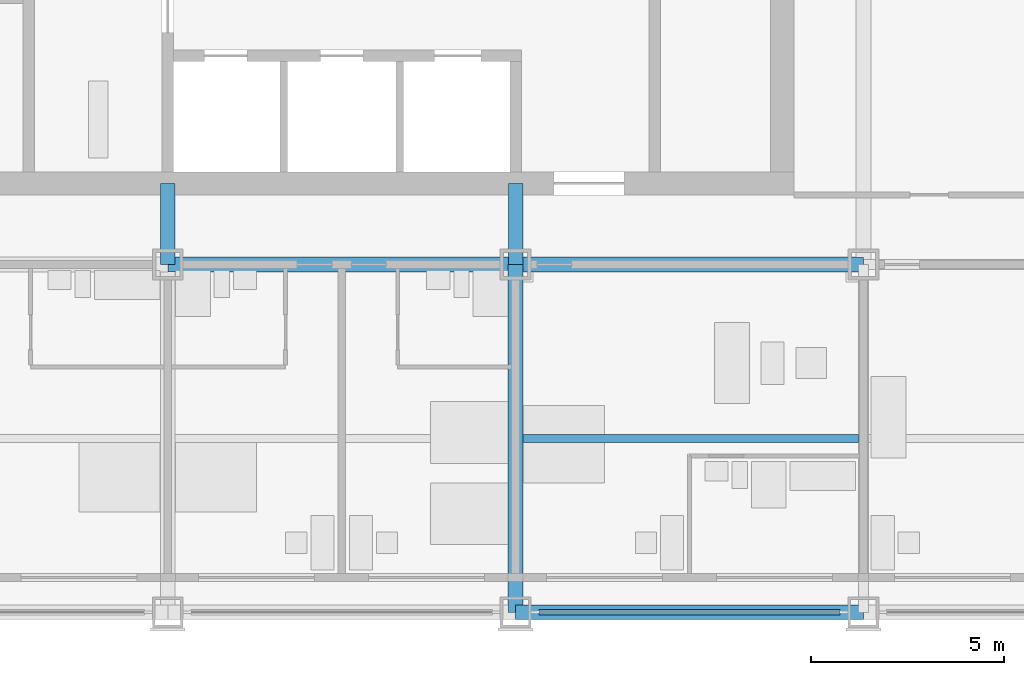
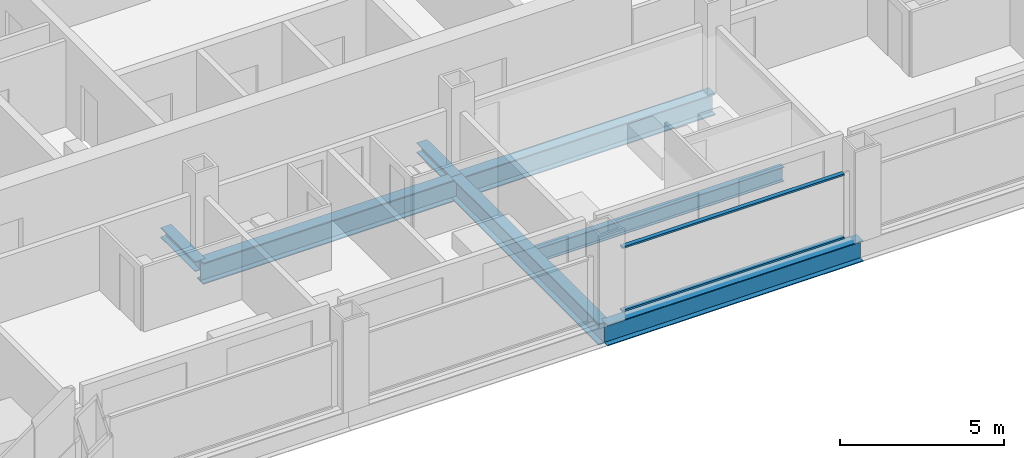
# One storey, part 3 of 18: 5 beams, 4 members, 1 element without a shape of its own.
"""IFC4 building model written with IfcOpenShell, lengths in metres."""

from ifc_helpers import new_model, si_unit, direction, frame, origin, origin_2d, place, context, subcontext, project, spatial, rectangle, i_section, extrude, material, material_profile, profile_set, type_object, element, aggregate, save


model = new_model("IFC4")

# Units and contexts
model_context = context("Model", 3, precision=1e-05, world=origin(), true_north=direction((0.0, 1.0)))
body_context = subcontext(model_context, "Body", "Model", "MODEL_VIEW")
ifc_project = project(units=[si_unit("LENGTHUNIT", "METRE"), si_unit("AREAUNIT", "SQUARE_METRE"), si_unit("VOLUMEUNIT", "CUBIC_METRE"), si_unit("PLANEANGLEUNIT", "RADIAN"), si_unit("MASSUNIT", "GRAM", prefix="KILO")], contexts=[model_context])

# Site, building, storey
site_placement = place(None, origin())
site = spatial("IfcSite", under=ifc_project, at=site_placement, CompositionType="ELEMENT")
building_placement = place(site_placement, origin())
building = spatial("IfcBuilding", under=site, at=building_placement, Name="Loomwork Tower", CompositionType="ELEMENT")
storey_placement = place(building_placement, frame((0.0, 0.0, 68.800048828125)))
storey = spatial("IfcBuildingStorey", under=building, at=storey_placement, Name="L17", CompositionType="ELEMENT", Elevation=68.800048828125)

# Beams
ifc_material_1 = material(Name="Steel ASTM A992", Category="steel")
ifc_material_profile_1 = material_profile(ifc_material_1, i_section(OverallWidth=0.383544921875, OverallDepth=0.794921875, WebThickness=0.02099609375, FlangeThickness=0.0380859375, at=origin_2d()), Name="W30x235")
ifc_profile_set_1 = profile_set([ifc_material_profile_1], Name="Steel ASTM A992")
beam_type_1 = type_object("IfcBeamType", Name="CORE FLANK GIRDER W30x235", PredefinedType="BEAM", material=ifc_profile_set_1)
for number, where, z_axis, x_axis, name in (
    (1, (18.0, 9.0, -0.59765625), (1.0, 0.0, 0.0), (0.0, 1.0, 0.0), "Core Flank Girder E/4-E/5 L17"),
    (2, (27.0, 9.0, -0.59765625), (1.0, 0.0, 0.0), (0.0, 1.0, 0.0), "Core Flank Girder E/5-E/6 L17"),
    (3, (27.0, 0.0, -0.59765625), (0.0, 1.0, 0.0), (-1.0, 0.0, 0.0), "Core Flank Girder D/5-E/5 L17"),
):
    element("IfcBeam", number, at=place(storey_placement, frame(where, z_axis=z_axis, x_axis=x_axis)), inside=storey, type_object=beam_type_1, Name=name, PredefinedType="BEAM", context=body_context, shape_type="SweptSolid", body=[
        extrude(i_section(OverallWidth=0.383544921875, OverallDepth=0.794921875, WebThickness=0.02099609375, FlangeThickness=0.0380859375, at=origin_2d()), origin(), (0.0, 0.0, 1.0), 9.0),
    ])

# Members
ifc_material_2 = material(Name="Steel ASTM A992", Category="steel")
ifc_material_profile_2 = material_profile(ifc_material_2, i_section(OverallWidth=0.373291015625, OverallDepth=0.373291015625, WebThickness=0.016357421875, FlangeThickness=0.026123046875, at=origin_2d()), Name="W14x132")
ifc_profile_set_2 = profile_set([ifc_material_profile_2], Name="Steel ASTM A992")
member_type_1 = type_object("IfcMemberType", Name="CORE LINK STRUT W14x132", PredefinedType="STRUT", material=ifc_profile_set_2)
for number, where, z_axis, x_axis, name in (
    (4, (27.0, 9.0, -0.38671875), (0.0, 1.0, 0.0), (-1.0, 0.0, 0.0), "Core link strut E/5-27.000,11.100 L17"),
    (5, (18.0, 9.0, -0.38671875), (0.0, 1.0, 0.0), (-1.0, 0.0, 0.0), "Core link strut E/4-18.000,11.100 L17"),
):
    element("IfcMember", number, at=place(storey_placement, frame(where, z_axis=z_axis, x_axis=x_axis)), inside=storey, type_object=member_type_1, Name=name, PredefinedType="STRUT", context=body_context, shape_type="SweptSolid", body=[
        extrude(i_section(OverallWidth=0.373291015625, OverallDepth=0.373291015625, WebThickness=0.016357421875, FlangeThickness=0.026123046875, at=origin_2d()), origin(), (0.0, 0.0, 1.0), 2.10009765625),
    ])

# Beam
ifc_material_3 = material(Name="Steel ASTM A992", Category="steel")
ifc_material_profile_3 = material_profile(ifc_material_3, i_section(OverallWidth=0.2109375, OverallDepth=0.53857421875, WebThickness=0.011474609375, FlangeThickness=0.018798828125, at=origin_2d()), Name="W21x73")
ifc_profile_set_3 = profile_set([ifc_material_profile_3], Name="Steel ASTM A992")
beam_type_2 = type_object("IfcBeamType", Name="FLOOR JOIST W21x73", PredefinedType="JOIST", material=ifc_profile_set_3)
beam_1_placement = place(storey_placement, frame((27.19091796875, 4.5, -0.46923828125), z_axis=(1.0, 0.0, 0.0), x_axis=(0.0, 1.0, 0.0)))
element("IfcBeam", 6, at=beam_1_placement, inside=storey, type_object=beam_type_2, Name="Floor Joist 27.000,4.500-36.000,4.500 L17", PredefinedType="JOIST", context=body_context, shape_type="SweptSolid", body=[
    extrude(i_section(OverallWidth=0.2109375, OverallDepth=0.53857421875, WebThickness=0.011474609375, FlangeThickness=0.018798828125, at=origin_2d()), origin(), (0.0, 0.0, 1.0), 8.676025390625),
])

# Curtain wall, members
ifc_material_4 = material(Name="Aluminium curtain wall frame", Category="aluminium")
curtain_wall_type = type_object("IfcCurtainWallType", Name="Outer skin glazing hotel", PredefinedType="NOTDEFINED", material=ifc_material_4)
curtain_wall_placement = place(storey_placement, origin())
curtain_wall = element("IfcCurtainWall", 7, at=curtain_wall_placement, inside=storey, type_object=curtain_wall_type, Name="Outer skin glazing hotel cw/S-27", PredefinedType="NOTDEFINED")
ifc_material_5 = material(Name="Aluminium curtain wall frame", Category="aluminium")
ifc_material_profile_4 = material_profile(ifc_material_5, rectangle(XDim=0.14990234375, YDim=0.06494140625, at=origin_2d()), Name="AL 65x150")
ifc_profile_set_4 = profile_set([ifc_material_profile_4], Name="Aluminium curtain wall frame")
member_type_2 = type_object("IfcMemberType", Name="Outer skin glazing hotel transom", PredefinedType="USERDEFINED", material=ifc_profile_set_4)
member_1_placement = place(storey_placement, frame((27.60009765625, 0.0, 0.032470703125), z_axis=(1.0, 0.0, 0.0), x_axis=(0.0, 1.0, 0.0)))
member_1 = element("IfcMember", 8, at=member_1_placement, type_object=member_type_2, Name="CW1 transom 1.1", ObjectType="TRANSOM", PredefinedType="USERDEFINED", context=body_context, shape_type="SweptSolid", body=[
    extrude(rectangle(XDim=0.14990234375, YDim=0.06494140625, at=origin_2d()), origin(), (0.0, 0.0, 1.0), 7.7998046875),
])
member_2_placement = place(storey_placement, frame((27.60009765625, 0.0, 2.3876953125), z_axis=(1.0, 0.0, 0.0), x_axis=(0.0, 1.0, 0.0)))
member_2 = element("IfcMember", 9, at=member_2_placement, type_object=member_type_2, Name="CW1 transom 1.2", ObjectType="TRANSOM", PredefinedType="USERDEFINED", context=body_context, shape_type="SweptSolid", body=[
    extrude(rectangle(XDim=0.14990234375, YDim=0.06494140625, at=origin_2d()), origin(), (0.0, 0.0, 1.0), 7.7998046875),
])
aggregate(curtain_wall, [member_1, member_2])

# Beam
ifc_material_6 = material(Name="Steel ASTM A992", Category="steel")
ifc_material_profile_5 = material_profile(ifc_material_6, i_section(OverallWidth=0.381103515625, OverallDepth=0.77978515625, WebThickness=0.01806640625, FlangeThickness=0.0302734375, at=origin_2d()), Name="W30x191")
ifc_profile_set_5 = profile_set([ifc_material_profile_5], Name="Steel ASTM A992")
beam_type_3 = type_object("IfcBeamType", Name="SPANDREL GIRDER W30x191", PredefinedType="SPANDREL", material=ifc_profile_set_5)
beam_2_placement = place(storey_placement, frame((27.0, 0.0, -0.58984375), z_axis=(1.0, 0.0, 0.0), x_axis=(0.0, 1.0, 0.0)))
element("IfcBeam", 10, at=beam_2_placement, inside=storey, type_object=beam_type_3, Name="Spandrel Girder D/5-D/6 L17", PredefinedType="SPANDREL", context=body_context, shape_type="SweptSolid", body=[
    extrude(i_section(OverallWidth=0.381103515625, OverallDepth=0.77978515625, WebThickness=0.01806640625, FlangeThickness=0.0302734375, at=origin_2d()), origin(), (0.0, 0.0, 1.0), 9.0),
])

save(model, "model.ifc")
